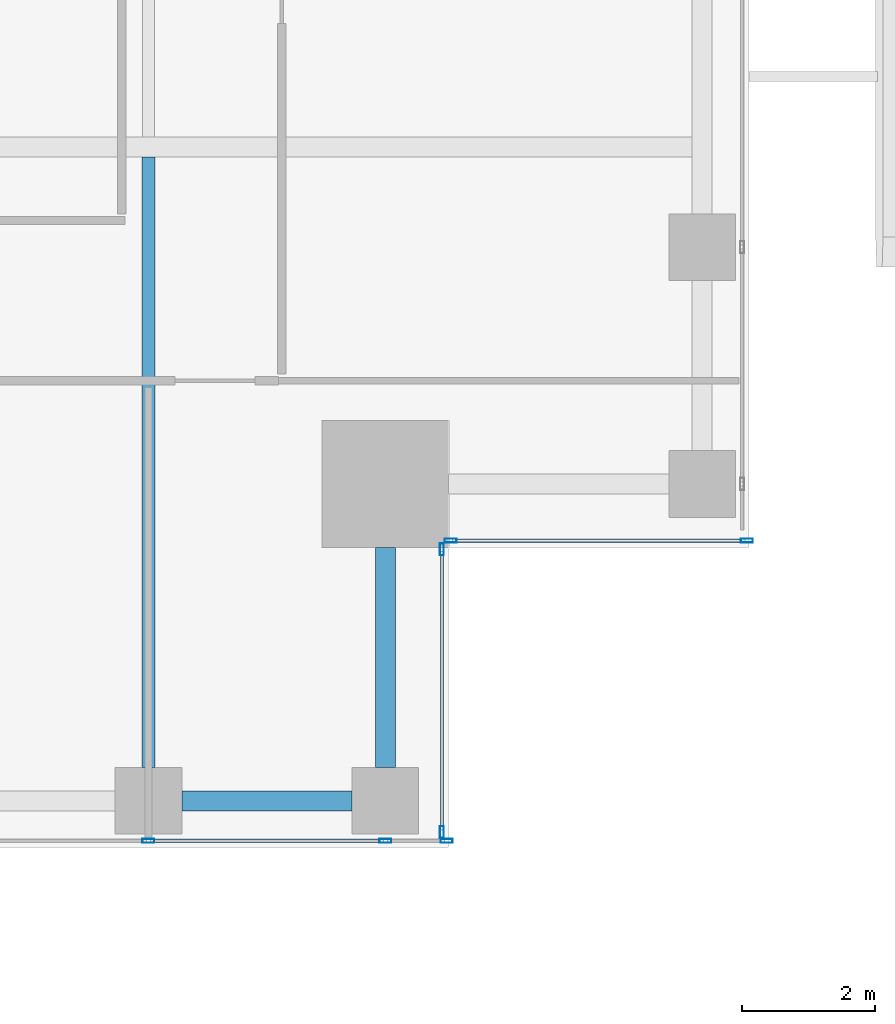
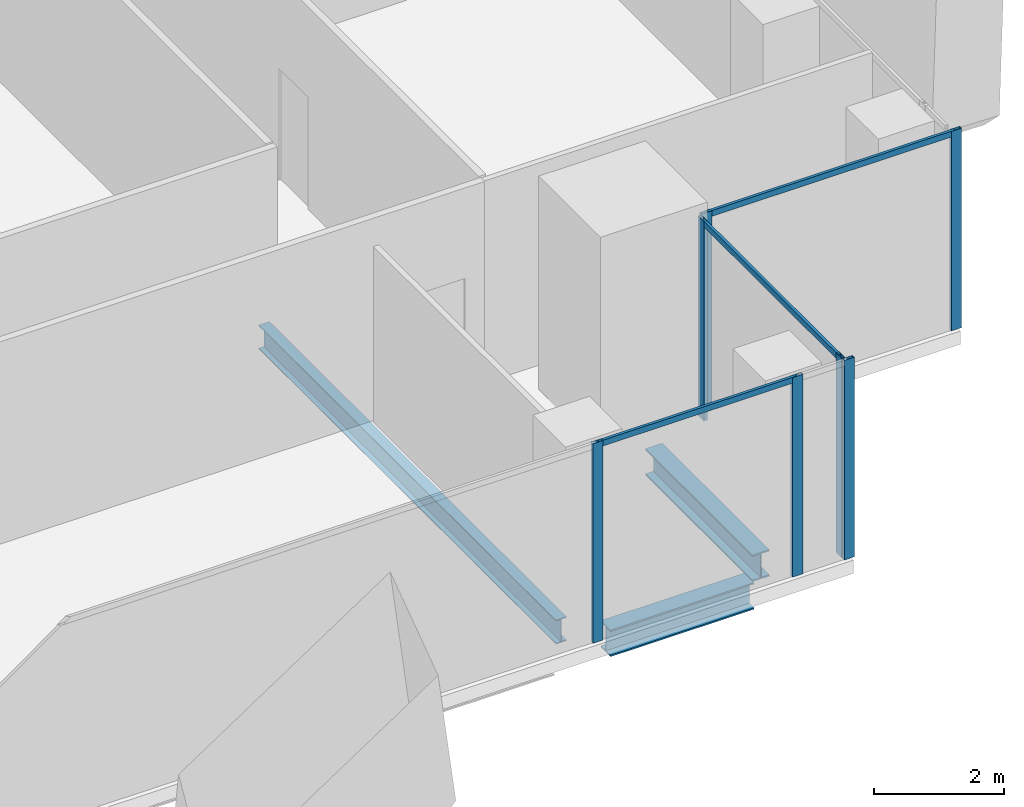
# One storey, part 10 of 38: 10 members, 3 beams, 3 elements without a shape of their own.
"""IFC4 building model written with IfcOpenShell, lengths in metres."""

from ifc_helpers import new_model, si_unit, direction, frame, origin, origin_2d, place, context, subcontext, project, spatial, hollow_rectangle, i_section, extrude, source, transform, mapped, material, material_profile, profile_set, type_object, element, aggregate, save


model = new_model("IFC4")

# Units and contexts
model_context = context("Model", 3, precision=1e-05, world=origin(), true_north=direction((0.0, 1.0)))
body_context = subcontext(model_context, "Body", "Model", "MODEL_VIEW")
ifc_project = project(units=[si_unit("LENGTHUNIT", "METRE"), si_unit("AREAUNIT", "SQUARE_METRE"), si_unit("VOLUMEUNIT", "CUBIC_METRE"), si_unit("PLANEANGLEUNIT", "RADIAN"), si_unit("MASSUNIT", "GRAM", prefix="KILO")], contexts=[model_context])

# Site, building, storey
site_placement = place(None, origin())
site = spatial("IfcSite", under=ifc_project, at=site_placement, CompositionType="ELEMENT")
building_placement = place(site_placement, origin())
building = spatial("IfcBuilding", under=site, at=building_placement, Name="Khomas Fold Tower", CompositionType="ELEMENT")
storey_placement = place(building_placement, frame((0.0, 0.0, 196.699951171875)))
storey = spatial("IfcBuildingStorey", under=building, at=storey_placement, Name="L43", CompositionType="ELEMENT", Elevation=196.699951171875)

# Beams
ifc_material_1 = material(Name="Steel S355", Category="steel")
ifc_material_profile_1 = material_profile(ifc_material_1, i_section(OverallWidth=0.300048828125, OverallDepth=0.5, WebThickness=0.014404296875, FlangeThickness=0.028076171875, at=origin_2d()), Name="HE 500 B")
ifc_profile_set_1 = profile_set([ifc_material_profile_1], Name="Steel S355")
beam_type_1 = type_object("IfcBeamType", Name="HE 500 B spandrel SB3", PredefinedType="SPANDREL", material=ifc_profile_set_1)
shared_shape_1 = source(origin(), body_context, "Body", "SweptSolid", [
    extrude(i_section(OverallWidth=0.300048828125, OverallDepth=0.5, WebThickness=0.014404296875, FlangeThickness=0.028076171875, at=origin_2d()), origin(), (0.0, 0.0, 1.0), 2.550048828125),
])
beam_1_placement = place(storey_placement, frame((42.5, 3.699951171875, -0.5), z_axis=(1.0, 0.0, 0.0), x_axis=(0.0, 1.0, 0.0)))
element("IfcBeam", 1, at=beam_1_placement, inside=storey, type_object=beam_type_1, Name="SB3", PredefinedType="SPANDREL", context=body_context, shape_type="MappedRepresentation", body=[
    mapped(shared_shape_1, transform((0.0, 0.0, 0.0))),
])
shared_shape_2 = source(origin(), body_context, "Body", "SweptSolid", [
    extrude(i_section(OverallWidth=0.300048828125, OverallDepth=0.5, WebThickness=0.014404296875, FlangeThickness=0.028076171875, at=origin_2d()), origin(), (0.0, 0.0, 1.0), 3.300048828125),
])
beam_2_placement = place(storey_placement, frame((45.550048828125, 4.199951171875, -0.5), z_axis=(0.0, 1.0, 0.0), x_axis=(-1.0, 0.0, 0.0)))
element("IfcBeam", 2, at=beam_2_placement, inside=storey, type_object=beam_type_1, Name="SB3", PredefinedType="SPANDREL", context=body_context, shape_type="MappedRepresentation", body=[
    mapped(shared_shape_2, transform((0.0, 0.0, 0.0))),
])
ifc_material_2 = material(Name="Steel S355", Category="steel")
ifc_material_profile_2 = material_profile(ifc_material_2, i_section(OverallWidth=0.18994140625, OverallDepth=0.449951171875, WebThickness=0.009521484375, FlangeThickness=0.0146484375, at=origin_2d()), Name="IPE 450")
ifc_profile_set_2 = profile_set([ifc_material_profile_2], Name="Steel S355")
beam_type_2 = type_object("IfcBeamType", Name="IPE 450 beam JB4", PredefinedType="BEAM", material=ifc_profile_set_2)
shared_shape_3 = source(origin(), body_context, "Body", "SweptSolid", [
    extrude(i_section(OverallWidth=0.18994140625, OverallDepth=0.449951171875, WebThickness=0.009521484375, FlangeThickness=0.0146484375, at=origin_2d()), origin(), (0.0, 0.0, 1.0), 9.150146484375),
])
beam_3_placement = place(storey_placement, frame((42.0, 4.199951171875, -0.474853515625), z_axis=(0.0, 1.0, 0.0), x_axis=(-1.0, 0.0, 0.0)))
element("IfcBeam", 3, at=beam_3_placement, inside=storey, type_object=beam_type_2, Name="JB4", PredefinedType="BEAM", context=body_context, shape_type="MappedRepresentation", body=[
    mapped(shared_shape_3, transform((0.0, 0.0, 0.0))),
])

# Curtain wall, members
ifc_material_3 = material(Name="Aluminium framed double glazing", Category="aluminium")
curtain_wall_type = type_object("IfcCurtainWallType", Name="SK-Unitised clear-glass wall, office floors CW2", PredefinedType="NOTDEFINED", material=ifc_material_3)
curtain_wall_1_placement = place(storey_placement, origin())
curtain_wall_1 = element("IfcCurtainWall", 4, at=curtain_wall_1_placement, inside=storey, type_object=curtain_wall_type, Name="CW2 run L43 00-0", PredefinedType="NOTDEFINED")
ifc_material_4 = material(Name="Aluminium", Category="aluminium")
ifc_material_profile_3 = material_profile(ifc_material_4, hollow_rectangle(XDim=0.06005859375, YDim=0.179931640625, WallThickness=0.00390625, at=origin_2d()), Name="SK-Unitised clear-glass wall, office floors mullion CW2-M")
ifc_profile_set_3 = profile_set([ifc_material_profile_3], Name="Aluminium")
member_type_1 = type_object("IfcMemberType", Name="SK-Unitised clear-glass wall, office floors mullion CW2-M", PredefinedType="MULLION", material=ifc_profile_set_3)
shared_shape_4 = source(origin(), body_context, "Body", "SweptSolid", [
    extrude(hollow_rectangle(XDim=0.06005859375, YDim=0.179931640625, WallThickness=0.00390625, at=origin_2d()), origin(), (0.0, 0.0, 1.0), 3.75),
])
member_1_placement = place(storey_placement, frame((42.0, 3.10009765625, 0.0), z_axis=(0.0, 0.0, 1.0), x_axis=(0.0, 1.0, 0.0)))
member_1 = element("IfcMember", 5, at=member_1_placement, type_object=member_type_1, Name="CW2 mullion 5", PredefinedType="MULLION", context=body_context, shape_type="MappedRepresentation", body=[
    mapped(shared_shape_4, transform((0.0, 0.0, 0.0))),
])
member_2_placement = place(storey_placement, frame((45.550048828125, 3.10009765625, 0.0), z_axis=(0.0, 0.0, 1.0), x_axis=(0.0, 1.0, 0.0)))
member_2 = element("IfcMember", 6, at=member_2_placement, type_object=member_type_1, Name="CW2 mullion 6", PredefinedType="MULLION", context=body_context, shape_type="MappedRepresentation", body=[
    mapped(shared_shape_4, transform((0.0, 0.0, 0.0))),
])
member_3_placement = place(storey_placement, frame((46.469970703125, 3.10009765625, 0.0), z_axis=(0.0, 0.0, 1.0), x_axis=(0.0, 1.0, 0.0)))
member_3 = element("IfcMember", 7, at=member_3_placement, type_object=member_type_1, Name="CW2 mullion 7", PredefinedType="MULLION", context=body_context, shape_type="MappedRepresentation", body=[
    mapped(shared_shape_4, transform((0.0, 0.0, 0.0))),
])

curtain_wall_2_placement = place(storey_placement, origin())
curtain_wall_2 = element("IfcCurtainWall", 8, at=curtain_wall_2_placement, inside=storey, type_object=curtain_wall_type, Name="CW2 corner return L43 01", PredefinedType="NOTDEFINED")
member_4_placement = place(storey_placement, frame((46.39990234375, 3.22998046875, 0.0), z_axis=(0.0, 0.0, 1.0), x_axis=(-1.0, 0.0, 0.0)))
member_4 = element("IfcMember", 9, at=member_4_placement, type_object=member_type_1, Name="CW2 mullion 1", PredefinedType="MULLION", context=body_context, shape_type="MappedRepresentation", body=[
    mapped(shared_shape_4, transform((0.0, 0.0, 0.0))),
])
member_5_placement = place(storey_placement, frame((46.39990234375, 7.469970703125, 0.0), z_axis=(0.0, 0.0, 1.0), x_axis=(-1.0, 0.0, 0.0)))
member_5 = element("IfcMember", 10, at=member_5_placement, type_object=member_type_1, Name="CW2 mullion 2", PredefinedType="MULLION", context=body_context, shape_type="MappedRepresentation", body=[
    mapped(shared_shape_4, transform((0.0, 0.0, 0.0))),
])

curtain_wall_3_placement = place(storey_placement, origin())
curtain_wall_3 = element("IfcCurtainWall", 11, at=curtain_wall_3_placement, inside=storey, type_object=curtain_wall_type, Name="CW2 corner return L43 02", PredefinedType="NOTDEFINED")
member_6_placement = place(storey_placement, frame((46.530029296875, 7.60009765625, 0.0), z_axis=(0.0, 0.0, 1.0), x_axis=(0.0, 1.0, 0.0)))
member_6 = element("IfcMember", 12, at=member_6_placement, type_object=member_type_1, Name="CW2 mullion 1", PredefinedType="MULLION", context=body_context, shape_type="MappedRepresentation", body=[
    mapped(shared_shape_4, transform((0.0, 0.0, 0.0))),
])
member_7_placement = place(storey_placement, frame((50.969970703125, 7.60009765625, 0.0), z_axis=(0.0, 0.0, 1.0), x_axis=(0.0, 1.0, 0.0)))
member_7 = element("IfcMember", 13, at=member_7_placement, type_object=member_type_1, Name="CW2 mullion 2", PredefinedType="MULLION", context=body_context, shape_type="MappedRepresentation", body=[
    mapped(shared_shape_4, transform((0.0, 0.0, 0.0))),
])
ifc_material_5 = material(Name="Aluminium", Category="aluminium")
ifc_material_profile_4 = material_profile(ifc_material_5, hollow_rectangle(XDim=0.050048828125, YDim=0.110107421875, WallThickness=0.00390625, at=origin_2d()), Name="SK-Unitised clear-glass wall, office floors transom CW2-T")
ifc_profile_set_4 = profile_set([ifc_material_profile_4], Name="Aluminium")
member_type_2 = type_object("IfcMemberType", Name="SK-Unitised clear-glass wall, office floors transom CW2-T", PredefinedType="USERDEFINED", material=ifc_profile_set_4)
shared_shape_5 = source(origin(), body_context, "Body", "SweptSolid", [
    extrude(hollow_rectangle(XDim=0.050048828125, YDim=0.110107421875, WallThickness=0.00390625, at=origin_2d()), origin(), (0.0, 0.0, 1.0), 4.3798828125),
])
member_8_placement = place(storey_placement, frame((46.56005859375, 7.60009765625, 3.695068359375), z_axis=(1.0, 0.0, 0.0), x_axis=(0.0, 1.0, 0.0)))
member_8 = element("IfcMember", 14, at=member_8_placement, type_object=member_type_2, Name="CW2 transom 1", ObjectType="TRANSOM", PredefinedType="USERDEFINED", context=body_context, shape_type="MappedRepresentation", body=[
    mapped(shared_shape_5, transform((0.0, 0.0, 0.0))),
])
aggregate(curtain_wall_3, [member_6, member_7, member_8])

# Member
shared_shape_6 = source(origin(), body_context, "Body", "SweptSolid", [
    extrude(hollow_rectangle(XDim=0.050048828125, YDim=0.110107421875, WallThickness=0.00390625, at=origin_2d()), origin(), (0.0, 0.0, 1.0), 3.489990234375),
])
member_9_placement = place(storey_placement, frame((42.030029296875, 3.10009765625, 3.695068359375), z_axis=(1.0, 0.0, 0.0), x_axis=(0.0, 1.0, 0.0)))
member_9 = element("IfcMember", 15, at=member_9_placement, type_object=member_type_2, Name="CW2 transom 5", ObjectType="TRANSOM", PredefinedType="USERDEFINED", context=body_context, shape_type="MappedRepresentation", body=[
    mapped(shared_shape_6, transform((0.0, 0.0, 0.0))),
])

aggregate(curtain_wall_1, [member_1, member_2, member_3, member_9])

shared_shape_7 = source(origin(), body_context, "Body", "SweptSolid", [
    extrude(hollow_rectangle(XDim=0.050048828125, YDim=0.110107421875, WallThickness=0.00390625, at=origin_2d()), origin(), (0.0, 0.0, 1.0), 4.179931640625),
])
member_10_placement = place(storey_placement, frame((46.39990234375, 3.260009765625, 3.695068359375), z_axis=(0.0, 1.0, 0.0), x_axis=(-1.0, 0.0, 0.0)))
member_10 = element("IfcMember", 16, at=member_10_placement, type_object=member_type_2, Name="CW2 transom 1", ObjectType="TRANSOM", PredefinedType="USERDEFINED", context=body_context, shape_type="MappedRepresentation", body=[
    mapped(shared_shape_7, transform((0.0, 0.0, 0.0))),
])

aggregate(curtain_wall_2, [member_4, member_5, member_10])

save(model, "model.ifc")
